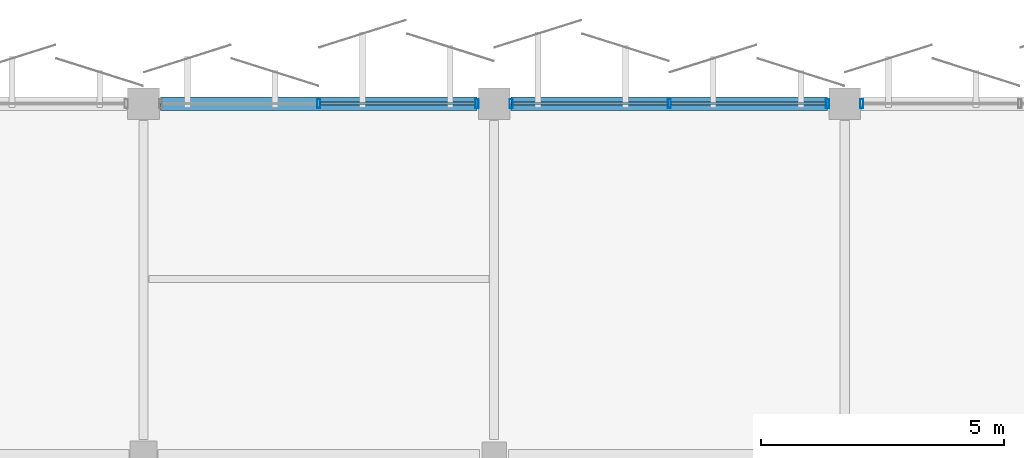
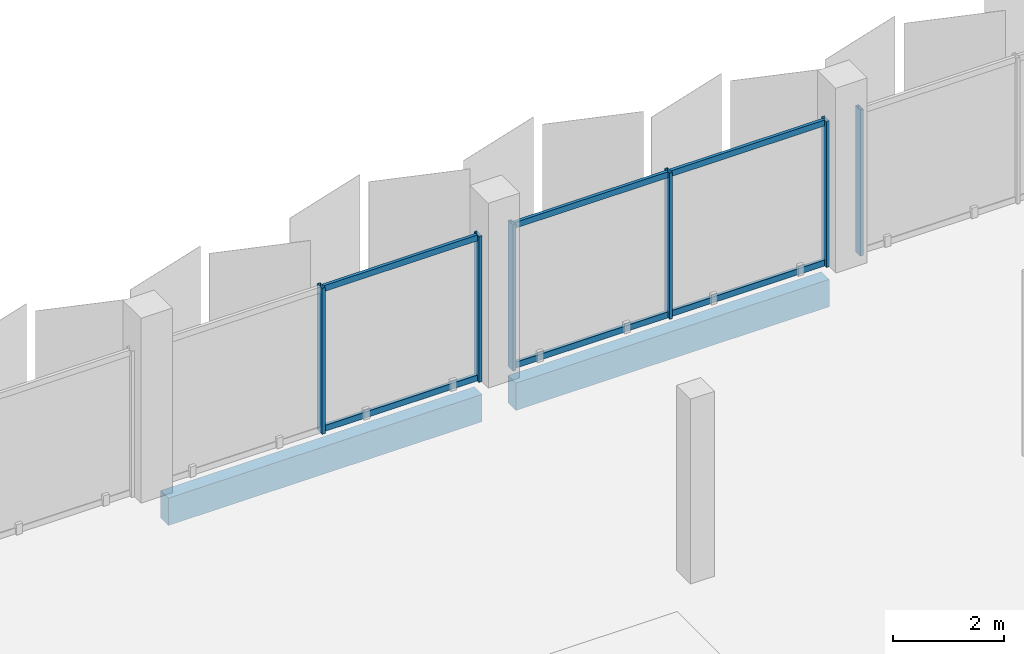
# One storey, part 40 of 108: 12 members, 2 beams, 3 elements without a shape of their own.
"""IFC4 building model written with IfcOpenShell, lengths in metres."""

from ifc_helpers import new_model, si_unit, direction, frame, origin, origin_2d, place, context, subcontext, project, spatial, rectangle, hollow_rectangle, extrude, material, layer, layer_set, material_profile, profile_set, type_object, element, aggregate, save


model = new_model("IFC4")

# Units and contexts
model_context = context("Model", 3, precision=1e-05, world=origin(), true_north=direction((0.0, 1.0)))
body_context = subcontext(model_context, "Body", "Model", "MODEL_VIEW")
ifc_project = project(units=[si_unit("LENGTHUNIT", "METRE"), si_unit("AREAUNIT", "SQUARE_METRE"), si_unit("VOLUMEUNIT", "CUBIC_METRE"), si_unit("PLANEANGLEUNIT", "RADIAN"), si_unit("MASSUNIT", "GRAM", prefix="KILO")], contexts=[model_context])

# Site, building, storey
site_placement = place(None, origin())
site = spatial("IfcSite", under=ifc_project, at=site_placement, CompositionType="ELEMENT")
building_placement = place(site_placement, origin())
building = spatial("IfcBuilding", under=site, at=building_placement, Name="Kangsadwip Square Police Headquarters", CompositionType="ELEMENT")
storey_placement = place(building_placement, frame((0.0, 0.0, 9.449951171875)))
storey = spatial("IfcBuildingStorey", under=building, at=storey_placement, Name="L02", CompositionType="ELEMENT", Elevation=9.449951171875)

# Curtain wall, members
ifc_material_1 = material(Name="Thermally broken anodised aluminium AW-6063-T6", Category="aluminium")
ifc_layer = layer(ifc_material_1, 0.159912109375)
ifc_layer_set = layer_set([ifc_layer], Name="Thermally broken anodised aluminium AW-6063-T6")
curtain_wall_type = type_object("IfcCurtainWallType", Name="UnitisedCw6560x3200", PredefinedType="NOTDEFINED", material=ifc_layer_set)
curtain_wall_1_placement = place(storey_placement, origin())
curtain_wall_1 = element("IfcCurtainWall", 1, at=curtain_wall_1_placement, inside=storey, type_object=curtain_wall_type, Name="Curtain Wall CW-L02-1083-1152", PredefinedType="NOTDEFINED")
ifc_material_2 = material(Name="Thermally broken anodised aluminium AW-6063-T6", Category="aluminium")
ifc_material_profile_1 = material_profile(ifc_material_2, hollow_rectangle(XDim=0.06494140625, YDim=0.179931640625, WallThickness=0.00390625, at=origin_2d()), Name="CWM 180X65X4")
ifc_profile_set_1 = profile_set([ifc_material_profile_1], Name="Thermally broken anodised aluminium AW-6063-T6")
member_type_1 = type_object("IfcMemberType", Name="CwMullion160x65", PredefinedType="MULLION", material=ifc_profile_set_1)
member_1_placement = place(storey_placement, frame((111.60009765625, 115.199951171875, 0.0), z_axis=(0.0, 0.0, 1.0), x_axis=(1.0, 0.0, 0.0)))
member_1 = element("IfcMember", 2, at=member_1_placement, type_object=member_type_1, Name="CW-20 mullion 2", PredefinedType="MULLION", context=body_context, shape_type="SweptSolid", body=[
    extrude(hollow_rectangle(XDim=0.06494140625, YDim=0.179931640625, WallThickness=0.00390625, at=origin_2d()), origin(), (0.0, 0.0, 1.0), 3.199951171875),
])
member_2_placement = place(storey_placement, frame((114.847412109375, 115.199951171875, 0.0), z_axis=(0.0, 0.0, 1.0), x_axis=(1.0, 0.0, 0.0)))
member_2 = element("IfcMember", 3, at=member_2_placement, type_object=member_type_1, Name="CW-20 mullion 3", PredefinedType="MULLION", context=body_context, shape_type="SweptSolid", body=[
    extrude(hollow_rectangle(XDim=0.06494140625, YDim=0.179931640625, WallThickness=0.00390625, at=origin_2d()), origin(), (0.0, 0.0, 1.0), 3.199951171875),
])

curtain_wall_2_placement = place(storey_placement, origin())
curtain_wall_2 = element("IfcCurtainWall", 4, at=curtain_wall_2_placement, inside=storey, type_object=curtain_wall_type, Name="Curtain Wall CW-L02-1155-1152", PredefinedType="NOTDEFINED")
member_3_placement = place(storey_placement, frame((115.552490234375, 115.199951171875, 0.0), z_axis=(0.0, 0.0, 1.0), x_axis=(1.0, 0.0, 0.0)))
member_3 = element("IfcMember", 5, at=member_3_placement, type_object=member_type_1, Name="CW-20 mullion 1", PredefinedType="MULLION", context=body_context, shape_type="SweptSolid", body=[
    extrude(hollow_rectangle(XDim=0.06494140625, YDim=0.179931640625, WallThickness=0.00390625, at=origin_2d()), origin(), (0.0, 0.0, 1.0), 3.199951171875),
])
member_4_placement = place(storey_placement, frame((118.800048828125, 115.199951171875, 0.0), z_axis=(0.0, 0.0, 1.0), x_axis=(1.0, 0.0, 0.0)))
member_4 = element("IfcMember", 6, at=member_4_placement, type_object=member_type_1, Name="CW-20 mullion 2", PredefinedType="MULLION", context=body_context, shape_type="SweptSolid", body=[
    extrude(hollow_rectangle(XDim=0.06494140625, YDim=0.179931640625, WallThickness=0.00390625, at=origin_2d()), origin(), (0.0, 0.0, 1.0), 3.199951171875),
])
member_5_placement = place(storey_placement, frame((122.047607421875, 115.199951171875, 0.0), z_axis=(0.0, 0.0, 1.0), x_axis=(1.0, 0.0, 0.0)))
member_5 = element("IfcMember", 7, at=member_5_placement, type_object=member_type_1, Name="CW-20 mullion 3", PredefinedType="MULLION", context=body_context, shape_type="SweptSolid", body=[
    extrude(hollow_rectangle(XDim=0.06494140625, YDim=0.179931640625, WallThickness=0.00390625, at=origin_2d()), origin(), (0.0, 0.0, 1.0), 3.199951171875),
])

# Curtain wall, member
curtain_wall_3_placement = place(storey_placement, origin())
curtain_wall_3 = element("IfcCurtainWall", 8, at=curtain_wall_3_placement, inside=storey, type_object=curtain_wall_type, Name="Curtain Wall CW-L02-1227-1152", PredefinedType="NOTDEFINED")
member_6_placement = place(storey_placement, frame((122.75244140625, 115.199951171875, 0.0), z_axis=(0.0, 0.0, 1.0), x_axis=(1.0, 0.0, 0.0)))
member_6 = element("IfcMember", 9, at=member_6_placement, type_object=member_type_1, Name="CW-20 mullion 1", PredefinedType="MULLION", context=body_context, shape_type="SweptSolid", body=[
    extrude(hollow_rectangle(XDim=0.06494140625, YDim=0.179931640625, WallThickness=0.00390625, at=origin_2d()), origin(), (0.0, 0.0, 1.0), 3.199951171875),
])
aggregate(curtain_wall_3, [member_6])

# Member
ifc_material_3 = material(Name="Thermally broken anodised aluminium AW-6063-T6", Category="aluminium")
ifc_material_profile_2 = material_profile(ifc_material_3, hollow_rectangle(XDim=0.06494140625, YDim=0.1298828125, WallThickness=0.00390625, at=origin_2d()), Name="CWT 130X65X4")
ifc_profile_set_2 = profile_set([ifc_material_profile_2], Name="Thermally broken anodised aluminium AW-6063-T6")
member_type_2 = type_object("IfcMemberType", Name="CwTransom140x60", PredefinedType="USERDEFINED", material=ifc_profile_set_2)
member_7_placement = place(storey_placement, frame((111.632568359375, 115.199951171875, 0.06494140625), z_axis=(1.0, 0.0, 0.0), x_axis=(0.0, 1.0, 0.0)))
member_7 = element("IfcMember", 10, at=member_7_placement, type_object=member_type_2, Name="CW-20 transom 2.1", ObjectType="TRANSOM", PredefinedType="USERDEFINED", context=body_context, shape_type="SweptSolid", body=[
    extrude(hollow_rectangle(XDim=0.06494140625, YDim=0.1298828125, WallThickness=0.00390625, at=origin_2d()), origin(), (0.0, 0.0, 1.0), 3.182373046875),
])

member_8_placement = place(storey_placement, frame((111.632568359375, 115.199951171875, 3.135009765625), z_axis=(1.0, 0.0, 0.0), x_axis=(0.0, 1.0, 0.0)))
member_8 = element("IfcMember", 11, at=member_8_placement, type_object=member_type_2, Name="CW-20 transom 2.2", ObjectType="TRANSOM", PredefinedType="USERDEFINED", context=body_context, shape_type="SweptSolid", body=[
    extrude(hollow_rectangle(XDim=0.06494140625, YDim=0.1298828125, WallThickness=0.00390625, at=origin_2d()), origin(), (0.0, 0.0, 1.0), 3.182373046875),
])

aggregate(curtain_wall_1, [member_1, member_2, member_7, member_8])

member_9_placement = place(storey_placement, frame((115.5849609375, 115.199951171875, 0.06494140625), z_axis=(1.0, 0.0, 0.0), x_axis=(0.0, 1.0, 0.0)))
member_9 = element("IfcMember", 12, at=member_9_placement, type_object=member_type_2, Name="CW-20 transom 1.1", ObjectType="TRANSOM", PredefinedType="USERDEFINED", context=body_context, shape_type="SweptSolid", body=[
    extrude(hollow_rectangle(XDim=0.06494140625, YDim=0.1298828125, WallThickness=0.00390625, at=origin_2d()), origin(), (0.0, 0.0, 1.0), 3.1826171875),
])

member_10_placement = place(storey_placement, frame((115.5849609375, 115.199951171875, 3.135009765625), z_axis=(1.0, 0.0, 0.0), x_axis=(0.0, 1.0, 0.0)))
member_10 = element("IfcMember", 13, at=member_10_placement, type_object=member_type_2, Name="CW-20 transom 1.2", ObjectType="TRANSOM", PredefinedType="USERDEFINED", context=body_context, shape_type="SweptSolid", body=[
    extrude(hollow_rectangle(XDim=0.06494140625, YDim=0.1298828125, WallThickness=0.00390625, at=origin_2d()), origin(), (0.0, 0.0, 1.0), 3.1826171875),
])

member_11_placement = place(storey_placement, frame((118.83251953125, 115.199951171875, 0.06494140625), z_axis=(1.0, 0.0, 0.0), x_axis=(0.0, 1.0, 0.0)))
member_11 = element("IfcMember", 14, at=member_11_placement, type_object=member_type_2, Name="CW-20 transom 2.1", ObjectType="TRANSOM", PredefinedType="USERDEFINED", context=body_context, shape_type="SweptSolid", body=[
    extrude(hollow_rectangle(XDim=0.06494140625, YDim=0.1298828125, WallThickness=0.00390625, at=origin_2d()), origin(), (0.0, 0.0, 1.0), 3.182373046875),
])

member_12_placement = place(storey_placement, frame((118.83251953125, 115.199951171875, 3.135009765625), z_axis=(1.0, 0.0, 0.0), x_axis=(0.0, 1.0, 0.0)))
member_12 = element("IfcMember", 15, at=member_12_placement, type_object=member_type_2, Name="CW-20 transom 2.2", ObjectType="TRANSOM", PredefinedType="USERDEFINED", context=body_context, shape_type="SweptSolid", body=[
    extrude(hollow_rectangle(XDim=0.06494140625, YDim=0.1298828125, WallThickness=0.00390625, at=origin_2d()), origin(), (0.0, 0.0, 1.0), 3.182373046875),
])

aggregate(curtain_wall_2, [member_3, member_4, member_5, member_9, member_10, member_11, member_12])

# Beams
ifc_material_4 = material(Name="Concrete M40 (40 MPa)", Category="concrete")
ifc_material_profile_3 = material_profile(ifc_material_4, rectangle(XDim=0.280029296875, YDim=0.60009765625, at=origin_2d()), Name="RC SPN 600X280")
ifc_profile_set_3 = profile_set([ifc_material_profile_3], Name="Concrete M40 (40 MPa)")
beam_type = type_object("IfcBeamType", Name="RcSpandrel600x280", PredefinedType="SPANDREL", material=ifc_profile_set_3)
for number, where, z_axis, x_axis, name in (
    (16, (108.35009765625, 115.199951171875, -0.5400390625), (1.0, 0.0, 0.0), (0.0, 1.0, 0.0), "Beam BM-L02-X-15-16"),
    (17, (115.550048828125, 115.199951171875, -0.5400390625), (1.0, 0.0, 0.0), (0.0, 1.0, 0.0), "Beam BM-L02-X-16-16"),
):
    element("IfcBeam", number, at=place(storey_placement, frame(where, z_axis=z_axis, x_axis=x_axis)), inside=storey, type_object=beam_type, Name=name, PredefinedType="SPANDREL", context=body_context, shape_type="SweptSolid", body=[
        extrude(rectangle(XDim=0.280029296875, YDim=0.60009765625, at=origin_2d()), origin(), (0.0, 0.0, 1.0), 6.5),
    ])

save(model, "model.ifc")
